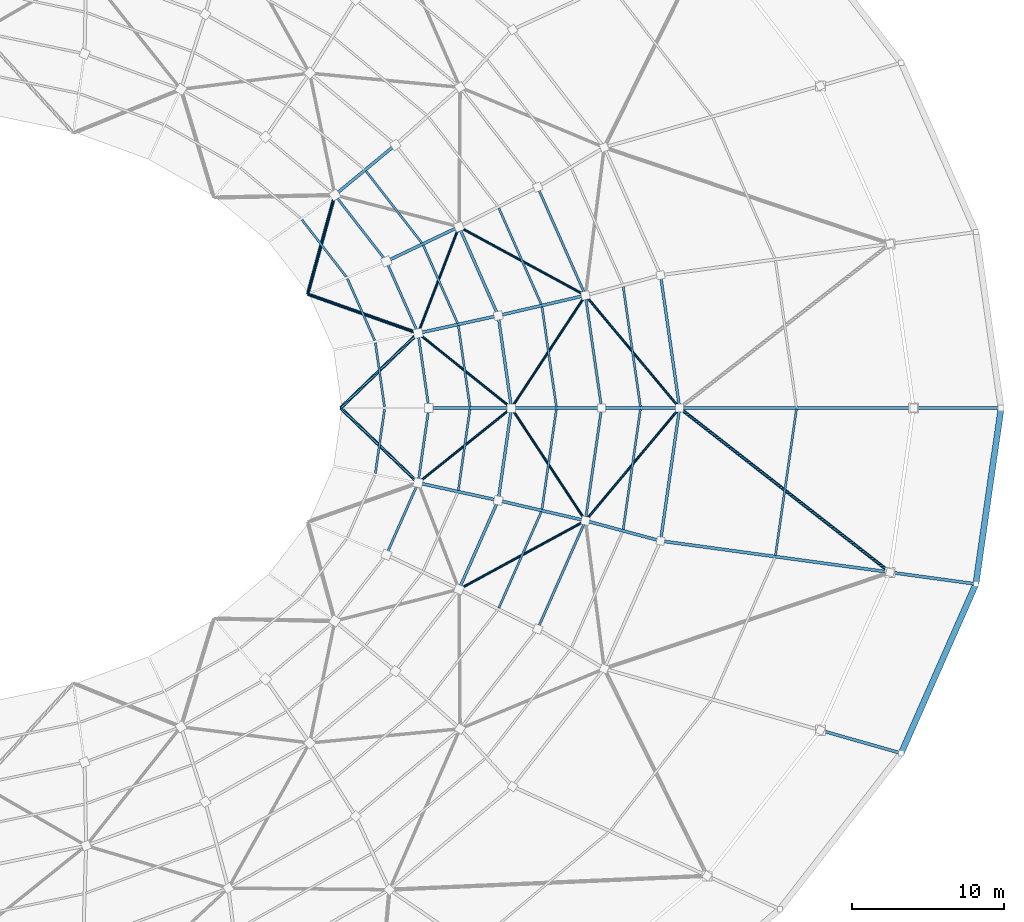
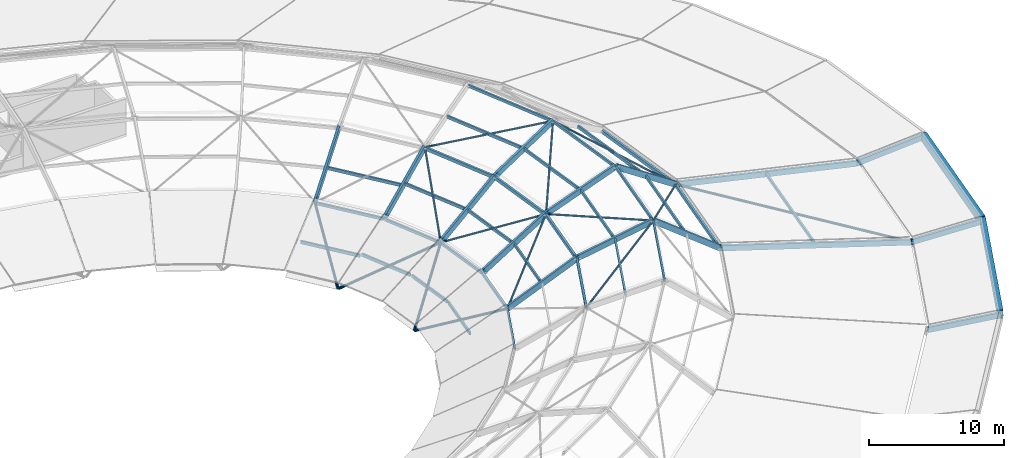
# One storey, part 10 of 30: 59 members, 2 beams.
"""IFC4 building model written with IfcOpenShell, lengths in metres."""

from ifc_helpers import new_model, si_unit, direction, frame, origin, origin_2d, place, context, subcontext, project, spatial, rectangle, hollow_rectangle, hollow_circle, extrude, material, material_profile, profile_set, type_object, element, save


model = new_model("IFC4")

# Units and contexts
model_context = context("Model", 3, precision=1e-05, world=origin(), true_north=direction((0.0, 1.0)))
body_context = subcontext(model_context, "Body", "Model", "MODEL_VIEW")
ifc_project = project(units=[si_unit("LENGTHUNIT", "METRE"), si_unit("AREAUNIT", "SQUARE_METRE"), si_unit("VOLUMEUNIT", "CUBIC_METRE"), si_unit("PLANEANGLEUNIT", "RADIAN"), si_unit("MASSUNIT", "GRAM", prefix="KILO")], contexts=[model_context])

# Site, building, storey
site_placement = place(None, origin())
site = spatial("IfcSite", under=ifc_project, at=site_placement, CompositionType="ELEMENT")
building_placement = place(site_placement, origin())
building = spatial("IfcBuilding", under=site, at=building_placement, Name="Namkhue Oval Health Centre", CompositionType="ELEMENT")
storey_placement = place(building_placement, frame((0.0, 0.0, 26.39990234375)))
storey = spatial("IfcBuildingStorey", under=building, at=storey_placement, Name="RF", CompositionType="ELEMENT", Elevation=26.39990234375)

# Beams
ifc_material_1 = material(Name="Precast architectural concrete C35/45 (TCVN B40)", Category="concrete")
ifc_material_profile_1 = material_profile(ifc_material_1, rectangle(XDim=0.39990234375, YDim=0.75, at=origin_2d()), Name="RC 400x750")
ifc_profile_set_1 = profile_set([ifc_material_profile_1], Name="Precast architectural concrete C35/45 (TCVN B40)")
beam_type = type_object("IfcBeamType", Name="CONCRETE EDGE BAND 400X750", PredefinedType="SPANDREL", material=ifc_profile_set_1)
beam_1_placement = place(storey_placement, frame((166.2392578125, 36.705078125, 0.7001953125), z_axis=(0.403693857048, 0.914894130368, 0.0), x_axis=(-0.914894130368, 0.403693857048, 0.0)))
element("IfcBeam", 1, at=beam_1_placement, inside=storey, type_object=beam_type, Name="Elliptical Roof Concrete Fascia Band 31", PredefinedType="SPANDREL", context=body_context, shape_type="SweptSolid", body=[
    extrude(rectangle(XDim=0.39990234375, YDim=0.75, at=origin_2d()), origin(), (0.0, 0.0, 1.0), 12.099609375),
])
beam_2_placement = place(storey_placement, frame((171.1455078125, 47.851318359375, 0.7001953125), z_axis=(0.14180352015, 0.989894823541, 0.0), x_axis=(-0.989894823541, 0.14180352015, 0.0)))
element("IfcBeam", 2, at=beam_2_placement, inside=storey, type_object=beam_type, Name="Elliptical Roof Concrete Fascia Band 32", PredefinedType="SPANDREL", context=body_context, shape_type="SweptSolid", body=[
    extrude(rectangle(XDim=0.39990234375, YDim=0.75, at=origin_2d()), origin(), (0.0, 0.0, 1.0), 11.62646484375),
])

# Members
ifc_material_2 = material(Name="Structural steel EN 10025-2 S355JR (TCVN 5575:2024)", Category="steel")
ifc_material_profile_2 = material_profile(ifc_material_2, hollow_circle(Radius=0.084228515625, WallThickness=0.008056640625, at=origin_2d()), Name="CHS 168.3x8")
ifc_profile_set_2 = profile_set([ifc_material_profile_2], Name="Structural steel EN 10025-2 S355JR (TCVN 5575:2024)")
member_type_1 = type_object("IfcMemberType", Name="DIAGONAL BRACE CHS 168", PredefinedType="BRACE", material=ifc_profile_set_2)
for number, where, z_axis, x_axis, name in (
    (3, (151.614013671875, 59.421630859375, 3.7900390625), (-0.604951529106, 0.723827943843, 0.331823379441), (-0.767302106133, -0.6412858005, 0.0), "Gridshell Diagonal Brace K2-1"),
    (4, (151.614013671875, 59.37841796875, 3.7900390625), (-0.604951529106, -0.723827943843, 0.331823379441), (0.767302106133, -0.6412858005, 0.0), "Gridshell Diagonal Brace K2-32"),
):
    element("IfcMember", number, at=place(storey_placement, frame(where, z_axis=z_axis, x_axis=x_axis)), inside=storey, type_object=member_type_1, Name=name, PredefinedType="BRACE", context=body_context, shape_type="SweptSolid", body=[
        extrude(hollow_circle(Radius=0.084228515625, WallThickness=0.008056640625, at=origin_2d()), origin(), (0.0, 0.0, 1.0), 10.1865234375),
    ])
member_1_placement = place(storey_placement, frame((145.41748046875, 66.792236328125, 7.1728515625), z_axis=(-0.533026132105, -0.811164118844, -0.24061569939), x_axis=(0.835717099422, -0.54916020407, 0.0)))
element("IfcMember", 5, at=member_1_placement, inside=storey, type_object=member_type_1, Name="Gridshell Diagonal Brace K3-1", PredefinedType="BRACE", context=body_context, shape_type="SweptSolid", body=[
    extrude(hollow_circle(Radius=0.084228515625, WallThickness=0.008056640625, at=origin_2d()), origin(), (0.0, 0.0, 1.0), 9.083251953125),
])
for number, where, z_axis, x_axis, name in (
    (6, (145.40771484375, 66.83056640625, 7.17333984375), (-0.856179803877, 0.464515560675, -0.226233148154), (-0.476879529748, -0.878968665032, 0.0), "Gridshell Diagonal Brace K3-2"),
    (7, (145.40771484375, 51.969482421875, 7.17333984375), (-0.856179803877, -0.464515560675, -0.226233148154), (0.476879529748, -0.878968665032, 0.0), "Gridshell Diagonal Brace K3-31"),
):
    element("IfcMember", number, at=place(storey_placement, frame(where, z_axis=z_axis, x_axis=x_axis)), inside=storey, type_object=member_type_1, Name=name, PredefinedType="BRACE", context=body_context, shape_type="SweptSolid", body=[
        extrude(hollow_circle(Radius=0.084228515625, WallThickness=0.008056640625, at=origin_2d()), origin(), (0.0, 0.0, 1.0), 9.664794921875),
    ])
member_2_placement = place(storey_placement, frame((145.41748046875, 52.0078125, 7.1728515625), z_axis=(-0.533026132105, 0.811164118844, -0.24061569939), x_axis=(-0.835717099422, -0.54916020407, 0.0)))
element("IfcMember", 8, at=member_2_placement, inside=storey, type_object=member_type_1, Name="Gridshell Diagonal Brace K3-32", PredefinedType="BRACE", context=body_context, shape_type="SweptSolid", body=[
    extrude(hollow_circle(Radius=0.084228515625, WallThickness=0.008056640625, at=origin_2d()), origin(), (0.0, 0.0, 1.0), 9.083251953125),
])
member_3_placement = place(storey_placement, frame((140.53857421875, 59.417236328125, 4.96826171875), z_axis=(-0.716433998246, 0.57413313009, -0.396350192493), x_axis=(-0.62534963472, -0.780344689452, 0.0)))
element("IfcMember", 9, at=member_3_placement, inside=storey, type_object=member_type_1, Name="Gridshell Diagonal Brace K4-1", PredefinedType="BRACE", context=body_context, shape_type="SweptSolid", body=[
    extrude(hollow_circle(Radius=0.084228515625, WallThickness=0.008056640625, at=origin_2d()), origin(), (0.0, 0.0, 1.0), 8.518310546875),
])
member_4_placement = place(storey_placement, frame((137.097412109375, 71.30859375, 4.9677734375), z_axis=(-0.326688669329, -0.850363236448, -0.412500762944), x_axis=(0.93348313734, -0.35862129371, 0.0)))
element("IfcMember", 10, at=member_4_placement, inside=storey, type_object=member_type_1, Name="Gridshell Diagonal Brace K4-2", PredefinedType="BRACE", context=body_context, shape_type="SweptSolid", body=[
    extrude(hollow_circle(Radius=0.084228515625, WallThickness=0.008056640625, at=origin_2d()), origin(), (0.0, 0.0, 1.0), 8.182373046875),
])
member_5_placement = place(storey_placement, frame((140.53857421875, 59.3828125, 4.96826171875), z_axis=(-0.716433998246, -0.57413313009, -0.396350192493), x_axis=(0.62534963472, -0.780344689452, 0.0)))
element("IfcMember", 11, at=member_5_placement, inside=storey, type_object=member_type_1, Name="Gridshell Diagonal Brace K4-32", PredefinedType="BRACE", context=body_context, shape_type="SweptSolid", body=[
    extrude(hollow_circle(Radius=0.084228515625, WallThickness=0.008056640625, at=origin_2d()), origin(), (0.0, 0.0, 1.0), 8.518310546875),
])
ifc_material_profile_3 = material_profile(ifc_material_2, hollow_circle(Radius=0.109619140625, WallThickness=0.010009765625, at=origin_2d()), Name="CHS 219.1x10")
ifc_profile_set_3 = profile_set([ifc_material_profile_3], Name="Structural steel EN 10025-2 S355JR (TCVN 5575:2024)")
member_type_2 = type_object("IfcMemberType", Name="DIAGONAL BRACE CHS 219", PredefinedType="BRACE", material=ifc_profile_set_3)
member_6_placement = place(storey_placement, frame((165.46728515625, 48.602294921875, 0.285888671875), z_axis=(-0.773156638641, 0.603407661928, 0.195263938433), x_axis=(-0.615250790527, -0.788331443465, 0.0)))
element("IfcMember", 12, at=member_6_placement, inside=storey, type_object=member_type_2, Name="Gridshell Diagonal Brace K1-32", PredefinedType="BRACE", context=body_context, shape_type="SweptSolid", body=[
    extrude(hollow_circle(Radius=0.109619140625, WallThickness=0.010009765625, at=origin_2d()), origin(), (0.0, 0.0, 1.0), 17.864501953125),
])
member_7_placement = place(storey_placement, frame((134.394775390625, 64.30615234375, 1.56787109375), z_axis=(-0.655803956446, -0.633035181798, -0.411324238668), x_axis=(0.694506588313, -0.719486343713, 0.0)))
element("IfcMember", 13, at=member_7_placement, inside=storey, type_object=member_type_2, Name="Gridshell Diagonal Brace K5-1", PredefinedType="BRACE", context=body_context, shape_type="SweptSolid", body=[
    extrude(hollow_circle(Radius=0.109619140625, WallThickness=0.010009765625, at=origin_2d()), origin(), (0.0, 0.0, 1.0), 7.72021484375),
])
member_8_placement = place(storey_placement, frame((134.38818359375, 64.334228515625, 1.568603515625), z_axis=(-0.870686999739, 0.308442525656, -0.383102279885), x_axis=(-0.33391852969, -0.942601939065, 0.0)))
element("IfcMember", 14, at=member_8_placement, inside=storey, type_object=member_type_2, Name="Gridshell Diagonal Brace K5-2", PredefinedType="BRACE", context=body_context, shape_type="SweptSolid", body=[
    extrude(hollow_circle(Radius=0.109619140625, WallThickness=0.010009765625, at=origin_2d()), origin(), (0.0, 0.0, 1.0), 8.292724609375),
])
member_9_placement = place(storey_placement, frame((128.92431640625, 73.399169921875, 1.5673828125), z_axis=(-0.239180202301, -0.871743269985, -0.4276172378), x_axis=(0.964360555724, -0.264591607129, 0.0)))
element("IfcMember", 15, at=member_9_placement, inside=storey, type_object=member_type_2, Name="Gridshell Diagonal Brace K5-3", PredefinedType="BRACE", context=body_context, shape_type="SweptSolid", body=[
    extrude(hollow_circle(Radius=0.109619140625, WallThickness=0.010009765625, at=origin_2d()), origin(), (0.0, 0.0, 1.0), 7.423828125),
])
member_10_placement = place(storey_placement, frame((134.394775390625, 54.493896484375, 1.56787109375), z_axis=(-0.655803956446, 0.633035181798, -0.411324238668), x_axis=(-0.694506588313, -0.719486343713, 0.0)))
element("IfcMember", 16, at=member_10_placement, inside=storey, type_object=member_type_2, Name="Gridshell Diagonal Brace K5-32", PredefinedType="BRACE", context=body_context, shape_type="SweptSolid", body=[
    extrude(hollow_circle(Radius=0.109619140625, WallThickness=0.010009765625, at=origin_2d()), origin(), (0.0, 0.0, 1.0), 7.72021484375),
])
ifc_material_3 = material(Name="Glulam timber GL28h", Category="wood")
ifc_material_profile_4 = material_profile(ifc_material_3, rectangle(XDim=0.199951171875, YDim=0.47998046875, at=origin_2d()), Name="GL28h 200x480")
ifc_profile_set_4 = profile_set([ifc_material_profile_4], Name="Glulam timber GL28h")
member_type_3 = type_object("IfcMemberType", Name="GRIDSHELL ARCH RIB GL28H 200X480", PredefinedType="USERDEFINED", material=ifc_profile_set_4)
member_11_placement = place(storey_placement, frame((167.0400390625, 59.39990234375, 0.300048828125), z_axis=(-0.975157590278, 0.0, 0.221512243733), x_axis=(0.0, -1.0, 0.0)))
element("IfcMember", 17, at=member_11_placement, inside=storey, type_object=member_type_3, Name="Gridshell Glulam Arch Rib K1-1", ObjectType="ARCH_SEGMENT", PredefinedType="USERDEFINED", context=body_context, shape_type="SweptSolid", body=[
    extrude(rectangle(XDim=0.199951171875, YDim=0.47998046875, at=origin_2d()), origin(), (0.0, 0.0, 1.0), 15.800537109375),
])
member_12_placement = place(storey_placement, frame((151.632080078125, 59.39990234375, 3.800048828125), z_axis=(-0.833832668769, 0.0, 0.552017282785), x_axis=(0.0, -1.0, 0.0)))
element("IfcMember", 18, at=member_12_placement, inside=storey, type_object=member_type_3, Name="Gridshell Glulam Arch Rib K2-1", ObjectType="ARCH_SEGMENT", PredefinedType="USERDEFINED", context=body_context, shape_type="SweptSolid", body=[
    extrude(rectangle(XDim=0.199951171875, YDim=0.47998046875, at=origin_2d()), origin(), (0.0, 0.0, 1.0), 6.159423828125),
])
member_13_placement = place(storey_placement, frame((146.49609375, 59.39990234375, 7.2001953125), z_axis=(-0.937663136195, 0.0, -0.34754545461), x_axis=(0.0, -1.0, 0.0)))
element("IfcMember", 19, at=member_13_placement, inside=storey, type_object=member_type_3, Name="Gridshell Glulam Arch Rib K3-1", ObjectType="ARCH_SEGMENT", PredefinedType="USERDEFINED", context=body_context, shape_type="SweptSolid", body=[
    extrude(rectangle(XDim=0.199951171875, YDim=0.47998046875, at=origin_2d()), origin(), (0.0, 0.0, 1.0), 6.33056640625),
])
member_14_placement = place(storey_placement, frame((140.56005859375, 59.39990234375, 5.0), z_axis=(-0.848002580128, 0.0, -0.529992098145), x_axis=(0.0, -1.0, 0.0)))
element("IfcMember", 20, at=member_14_placement, inside=storey, type_object=member_type_3, Name="Gridshell Glulam Arch Rib K4-1", ObjectType="ARCH_SEGMENT", PredefinedType="USERDEFINED", context=body_context, shape_type="SweptSolid", body=[
    extrude(rectangle(XDim=0.199951171875, YDim=0.47998046875, at=origin_2d()), origin(), (0.0, 0.0, 1.0), 6.4150390625),
])
member_15_placement = place(storey_placement, frame((145.43359375, 66.816650390625, 7.2001953125), z_axis=(-0.912688397532, -0.211727263391, -0.349530334802), x_axis=(0.225981004463, -0.97413170856, 0.0)))
element("IfcMember", 21, at=member_15_placement, inside=storey, type_object=member_type_3, Name="Gridshell Glulam Arch Rib K3-2", ObjectType="ARCH_SEGMENT", PredefinedType="USERDEFINED", context=body_context, shape_type="SweptSolid", body=[
    extrude(rectangle(XDim=0.199951171875, YDim=0.47998046875, at=origin_2d()), origin(), (0.0, 0.0, 1.0), 6.294677734375),
])
member_16_placement = place(storey_placement, frame((139.6884765625, 65.48388671875, 5.0), z_axis=(-0.82650865168, -0.181623764907, -0.53281915949), x_axis=(0.214627171425, -0.976696051638, 0.0)))
element("IfcMember", 22, at=member_16_placement, inside=storey, type_object=member_type_3, Name="Gridshell Glulam Arch Rib K4-2", ObjectType="ARCH_SEGMENT", PredefinedType="USERDEFINED", context=body_context, shape_type="SweptSolid", body=[
    extrude(rectangle(XDim=0.199951171875, YDim=0.47998046875, at=origin_2d()), origin(), (0.0, 0.0, 1.0), 6.380859375),
])
member_17_placement = place(storey_placement, frame((137.107177734375, 71.333984375, 5.0), z_axis=(-0.759979897278, -0.361250399406, -0.540304270446), x_axis=(0.429308850188, -0.903157744334, 0.0)))
element("IfcMember", 23, at=member_17_placement, inside=storey, type_object=member_type_3, Name="Gridshell Glulam Arch Rib K4-3", ObjectType="ARCH_SEGMENT", PredefinedType="USERDEFINED", context=body_context, shape_type="SweptSolid", body=[
    extrude(rectangle(XDim=0.199951171875, YDim=0.47998046875, at=origin_2d()), origin(), (0.0, 0.0, 1.0), 6.29248046875),
])
member_18_placement = place(storey_placement, frame((132.91552734375, 76.725341796875, 5.0), z_axis=(-0.643559192771, -0.533091653921, -0.549222044278), x_axis=(0.637916322082, -0.770105684969, 0.0)))
element("IfcMember", 24, at=member_18_placement, inside=storey, type_object=member_type_3, Name="Gridshell Glulam Arch Rib K4-4", ObjectType="ARCH_SEGMENT", PredefinedType="USERDEFINED", context=body_context, shape_type="SweptSolid", body=[
    extrude(rectangle(XDim=0.199951171875, YDim=0.47998046875, at=origin_2d()), origin(), (0.0, 0.0, 1.0), 6.1904296875),
])
member_19_placement = place(storey_placement, frame((165.490478515625, 48.584228515625, 0.300048828125), z_axis=(-0.965679210816, 0.132063629189, 0.223657907626), x_axis=(-0.135496054862, -0.990777885864, 0.0)))
element("IfcMember", 25, at=member_19_placement, inside=storey, type_object=member_type_3, Name="Gridshell Glulam Arch Rib K1-32", ObjectType="ARCH_SEGMENT", PredefinedType="USERDEFINED", context=body_context, shape_type="SweptSolid", body=[
    extrude(rectangle(XDim=0.199951171875, YDim=0.47998046875, at=origin_2d()), origin(), (0.0, 0.0, 1.0), 15.64892578125),
])
member_20_placement = place(storey_placement, frame((150.378662109375, 50.65087890625, 3.800048828125), z_axis=(-0.804418589356, 0.216762116055, 0.553104798517), x_axis=(-0.26018374201, -0.965559123199, 0.0)))
element("IfcMember", 26, at=member_20_placement, inside=storey, type_object=member_type_3, Name="Gridshell Glulam Arch Rib K2-32", ObjectType="ARCH_SEGMENT", PredefinedType="USERDEFINED", context=body_context, shape_type="SweptSolid", body=[
    extrude(rectangle(XDim=0.199951171875, YDim=0.47998046875, at=origin_2d()), origin(), (0.0, 0.0, 1.0), 6.1474609375),
])
member_21_placement = place(storey_placement, frame((145.43359375, 51.9833984375, 7.2001953125), z_axis=(-0.912688397532, 0.211727263391, -0.349530334802), x_axis=(-0.225981004463, -0.97413170856, 0.0)))
element("IfcMember", 27, at=member_21_placement, inside=storey, type_object=member_type_3, Name="Gridshell Glulam Arch Rib K3-32", ObjectType="ARCH_SEGMENT", PredefinedType="USERDEFINED", context=body_context, shape_type="SweptSolid", body=[
    extrude(rectangle(XDim=0.199951171875, YDim=0.47998046875, at=origin_2d()), origin(), (0.0, 0.0, 1.0), 6.294677734375),
])
member_22_placement = place(storey_placement, frame((139.6884765625, 53.316162109375, 5.0), z_axis=(-0.826514394594, 0.181586765889, -0.532822861731), x_axis=(-0.214584040313, -0.976705528623, 0.0)))
element("IfcMember", 28, at=member_22_placement, inside=storey, type_object=member_type_3, Name="Gridshell Glulam Arch Rib K4-32", ObjectType="ARCH_SEGMENT", PredefinedType="USERDEFINED", context=body_context, shape_type="SweptSolid", body=[
    extrude(rectangle(XDim=0.199951171875, YDim=0.47998046875, at=origin_2d()), origin(), (0.0, 0.0, 1.0), 6.380859375),
])
ifc_material_profile_5 = material_profile(ifc_material_3, rectangle(XDim=0.199951171875, YDim=0.47998046875, at=origin_2d()), Name="GL28h 200x480")
ifc_profile_set_5 = profile_set([ifc_material_profile_5], Name="Glulam timber GL28h")
member_type_4 = type_object("IfcMemberType", Name="GRIDSHELL CANTILEVER RIB GL28H 200X480", PredefinedType="USERDEFINED", material=ifc_profile_set_5)
member_23_placement = place(storey_placement, frame((172.800048828125, 59.39990234375, 0.7001953125), z_axis=(-0.99759567541, 0.0, -0.069302730132), x_axis=(0.0, -1.0, 0.0)))
element("IfcMember", 29, at=member_23_placement, inside=storey, type_object=member_type_4, Name="Gridshell Glulam Arch Rib K0-1", ObjectType="ARCH_SEGMENT", PredefinedType="USERDEFINED", context=body_context, shape_type="SweptSolid", body=[
    extrude(rectangle(XDim=0.199951171875, YDim=0.47998046875, at=origin_2d()), origin(), (0.0, 0.0, 1.0), 5.77392578125),
])
member_24_placement = place(storey_placement, frame((166.22314453125, 36.668701171875, 0.7001953125), z_axis=(-0.959259810829, 0.273162620811, -0.072130422992), x_axis=(-0.273876010696, -0.961765008079, 0.0)))
element("IfcMember", 30, at=member_24_placement, inside=storey, type_object=member_type_4, Name="Gridshell Glulam Arch Rib K0-31", ObjectType="ARCH_SEGMENT", PredefinedType="USERDEFINED", context=body_context, shape_type="SweptSolid", body=[
    extrude(rectangle(XDim=0.199951171875, YDim=0.47998046875, at=origin_2d()), origin(), (0.0, 0.0, 1.0), 5.547607421875),
])
member_25_placement = place(storey_placement, frame((171.139892578125, 47.8115234375, 0.7001953125), z_axis=(-0.988344700047, 0.135181978204, -0.070004190293), x_axis=(-0.135514436133, -0.990775371918, 0.0)))
element("IfcMember", 31, at=member_25_placement, inside=storey, type_object=member_type_4, Name="Gridshell Glulam Arch Rib K0-32", ObjectType="ARCH_SEGMENT", PredefinedType="USERDEFINED", context=body_context, shape_type="SweptSolid", body=[
    extrude(rectangle(XDim=0.199951171875, YDim=0.47998046875, at=origin_2d()), origin(), (0.0, 0.0, 1.0), 5.716064453125),
])
ifc_material_profile_6 = material_profile(ifc_material_2, hollow_rectangle(XDim=0.14990234375, YDim=0.25, WallThickness=0.008056640625, at=origin_2d()), Name="RHS 150x250x8")
ifc_profile_set_6 = profile_set([ifc_material_profile_6], Name="Structural steel EN 10025-2 S355JR (TCVN 5575:2024)")
member_type_5 = type_object("IfcMemberType", Name="GRIDSHELL HOOP PURLIN RHS 150X250", PredefinedType="PURLIN", material=ifc_profile_set_6)
member_26_placement = place(storey_placement, frame((146.487548828125, 59.45947265625, 7.156494140625), z_axis=(-0.141838613469, 0.98988979575, 0.0), x_axis=(-0.98988979575, -0.141838613469, 0.0)))
element("IfcMember", 32, at=member_26_placement, inside=storey, type_object=member_type_5, Name="Gridshell Hoop Purlin K3-1", PredefinedType="PURLIN", context=body_context, shape_type="SweptSolid", body=[
    extrude(hollow_rectangle(XDim=0.14990234375, YDim=0.25, WallThickness=0.008056640625, at=origin_2d()), origin(), (0.0, 0.0, 1.0), 7.3720703125),
])
for number, where, z_axis, x_axis, name in (
    (33, (145.4091796875, 66.871337890625, 7.156005859375), (-0.403663700855, 0.91490743609, 0.0), (-0.91490743609, -0.403663700855, 0.0), "Gridshell Hoop Purlin K3-2"),
    (34, (142.31103515625, 44.90673828125, 7.156005859375), (0.403663700855, 0.91490743609, 0.0), (-0.91490743609, 0.403663700855, 0.0), "Gridshell Hoop Purlin K3-31"),
):
    element("IfcMember", number, at=place(storey_placement, frame(where, z_axis=z_axis, x_axis=x_axis)), inside=storey, type_object=member_type_5, Name=name, PredefinedType="PURLIN", context=body_context, shape_type="SweptSolid", body=[
        extrude(hollow_rectangle(XDim=0.14990234375, YDim=0.25, WallThickness=0.008056640625, at=origin_2d()), origin(), (0.0, 0.0, 1.0), 7.675048828125),
    ])
member_27_placement = place(storey_placement, frame((145.44189453125, 52.042724609375, 7.156494140625), z_axis=(0.14183396389, 0.989890461964, 0.0), x_axis=(-0.989890461964, 0.14183396389, 0.0)))
element("IfcMember", 35, at=member_27_placement, inside=storey, type_object=member_type_5, Name="Gridshell Hoop Purlin K3-32", PredefinedType="PURLIN", context=body_context, shape_type="SweptSolid", body=[
    extrude(hollow_rectangle(XDim=0.14990234375, YDim=0.25, WallThickness=0.008056640625, at=origin_2d()), origin(), (0.0, 0.0, 1.0), 7.372314453125),
])
member_28_placement = place(storey_placement, frame((135.111572265625, 59.45947265625, 1.563232421875), z_axis=(-0.14185076709, 0.989888054214, 0.0), x_axis=(-0.989888054214, -0.14185076709, 0.0)))
element("IfcMember", 36, at=member_28_placement, inside=storey, type_object=member_type_5, Name="Gridshell Hoop Purlin K5-1", PredefinedType="PURLIN", context=body_context, shape_type="SweptSolid", body=[
    extrude(hollow_rectangle(XDim=0.14990234375, YDim=0.25, WallThickness=0.008056640625, at=origin_2d()), origin(), (0.0, 0.0, 1.0), 4.855224609375),
])
member_29_placement = place(storey_placement, frame((134.39013671875, 64.3798828125, 1.56005859375), z_axis=(-0.403663981902, 0.91490731209, 0.0), x_axis=(-0.91490731209, -0.403663981902, 0.0)))
element("IfcMember", 37, at=member_29_placement, inside=storey, type_object=member_type_5, Name="Gridshell Hoop Purlin K5-2", PredefinedType="PURLIN", context=body_context, shape_type="SweptSolid", body=[
    extrude(hollow_rectangle(XDim=0.14990234375, YDim=0.25, WallThickness=0.008056640625, at=origin_2d()), origin(), (0.0, 0.0, 1.0), 5.05615234375),
])
member_30_placement = place(storey_placement, frame((132.2880859375, 69.108154296875, 1.556884765625), z_axis=(-0.613784343626, 0.789473735801, 0.0), x_axis=(-0.789473735801, -0.613784343626, 0.0)))
element("IfcMember", 38, at=member_30_placement, inside=storey, type_object=member_type_5, Name="Gridshell Hoop Purlin K5-3", PredefinedType="PURLIN", context=body_context, shape_type="SweptSolid", body=[
    extrude(hollow_rectangle(XDim=0.14990234375, YDim=0.25, WallThickness=0.008056640625, at=origin_2d()), origin(), (0.0, 0.0, 1.0), 5.408447265625),
])
member_31_placement = place(storey_placement, frame((132.34912109375, 49.794189453125, 1.56005859375), z_axis=(0.403663981902, 0.91490731209, 0.0), x_axis=(-0.91490731209, 0.403663981902, 0.0)))
element("IfcMember", 39, at=member_31_placement, inside=storey, type_object=member_type_5, Name="Gridshell Hoop Purlin K5-31", PredefinedType="PURLIN", context=body_context, shape_type="SweptSolid", body=[
    extrude(hollow_rectangle(XDim=0.14990234375, YDim=0.25, WallThickness=0.008056640625, at=origin_2d()), origin(), (0.0, 0.0, 1.0), 5.05615234375),
])
member_32_placement = place(storey_placement, frame((134.4228515625, 54.5341796875, 1.563232421875), z_axis=(0.141843706761, 0.989889065932, 0.0), x_axis=(-0.989889065932, 0.141843706761, 0.0)))
element("IfcMember", 40, at=member_32_placement, inside=storey, type_object=member_type_5, Name="Gridshell Hoop Purlin K5-32", PredefinedType="PURLIN", context=body_context, shape_type="SweptSolid", body=[
    extrude(hollow_rectangle(XDim=0.14990234375, YDim=0.25, WallThickness=0.008056640625, at=origin_2d()), origin(), (0.0, 0.0, 1.0), 4.85546875),
])
ifc_material_profile_7 = material_profile(ifc_material_2, hollow_rectangle(XDim=0.179931640625, YDim=0.300048828125, WallThickness=0.010009765625, at=origin_2d()), Name="RHS 180x300x10")
ifc_profile_set_7 = profile_set([ifc_material_profile_7], Name="Structural steel EN 10025-2 S355JR (TCVN 5575:2024)")
member_type_6 = type_object("IfcMemberType", Name="GRIDSHELL HOOP PURLIN RHS 180X300", PredefinedType="PURLIN", material=ifc_profile_set_7)
for number, where, z_axis, x_axis, name in (
    (41, (151.62353515625, 59.45947265625, 3.7255859375), (-0.141805542277, 0.989894533867, 0.0), (-0.989894533867, -0.141805542277, 0.0), "Gridshell Hoop Purlin K2-1"),
    (42, (150.38720703125, 50.710205078125, 3.7255859375), (0.141805542277, 0.989894533867, 0.0), (-0.989894533867, 0.141805542277, 0.0), "Gridshell Hoop Purlin K2-32"),
):
    element("IfcMember", number, at=place(storey_placement, frame(where, z_axis=z_axis, x_axis=x_axis)), inside=storey, type_object=member_type_6, Name=name, PredefinedType="PURLIN", context=body_context, shape_type="SweptSolid", body=[
        extrude(hollow_rectangle(XDim=0.179931640625, YDim=0.300048828125, WallThickness=0.010009765625, at=origin_2d()), origin(), (0.0, 0.0, 1.0), 8.718505859375),
    ])
member_33_placement = place(storey_placement, frame((140.551513671875, 59.45947265625, 4.916259765625), z_axis=(-0.141801373498, 0.989895131049, 0.0), x_axis=(-0.989895131049, -0.141801373498, 0.0)))
element("IfcMember", 43, at=member_33_placement, inside=storey, type_object=member_type_6, Name="Gridshell Hoop Purlin K4-1", PredefinedType="PURLIN", context=body_context, shape_type="SweptSolid", body=[
    extrude(hollow_rectangle(XDim=0.179931640625, YDim=0.300048828125, WallThickness=0.010009765625, at=origin_2d()), origin(), (0.0, 0.0, 1.0), 6.02587890625),
])
for number, where, z_axis, x_axis, name in (
    (44, (139.664306640625, 65.538818359375, 4.91357421875), (-0.403707265212, 0.914888213945, 0.0), (-0.914888213945, -0.403707265212, 0.0), "Gridshell Hoop Purlin K4-2"),
    (45, (137.13134765625, 47.52099609375, 4.91357421875), (0.403707265212, 0.914888213945, 0.0), (-0.914888213945, 0.403707265212, 0.0), "Gridshell Hoop Purlin K4-31"),
):
    element("IfcMember", number, at=place(storey_placement, frame(where, z_axis=z_axis, x_axis=x_axis)), inside=storey, type_object=member_type_6, Name=name, PredefinedType="PURLIN", context=body_context, shape_type="SweptSolid", body=[
        extrude(hollow_rectangle(XDim=0.179931640625, YDim=0.300048828125, WallThickness=0.010009765625, at=origin_2d()), origin(), (0.0, 0.0, 1.0), 6.274169921875),
    ])
member_34_placement = place(storey_placement, frame((139.697021484375, 53.37548828125, 4.916259765625), z_axis=(0.141801373498, 0.989895131049, 0.0), x_axis=(-0.989895131049, 0.141801373498, 0.0)))
element("IfcMember", 46, at=member_34_placement, inside=storey, type_object=member_type_6, Name="Gridshell Hoop Purlin K4-32", PredefinedType="PURLIN", context=body_context, shape_type="SweptSolid", body=[
    extrude(hollow_rectangle(XDim=0.179931640625, YDim=0.300048828125, WallThickness=0.010009765625, at=origin_2d()), origin(), (0.0, 0.0, 1.0), 6.02587890625),
])
ifc_material_profile_8 = material_profile(ifc_material_3, rectangle(XDim=0.139892578125, YDim=0.280029296875, at=origin_2d()), Name="GL28h 140x280")
ifc_profile_set_8 = profile_set([ifc_material_profile_8], Name="Glulam timber GL28h")
member_type_7 = type_object("IfcMemberType", Name="GRIDSHELL SUB PURLIN GL28H 140X280", PredefinedType="PURLIN", material=ifc_profile_set_8)
member_35_placement = place(storey_placement, frame((157.94580078125, 49.69677734375, 2.050048828125), z_axis=(0.141829153276, 0.989891151229, 0.0), x_axis=(-0.989891151229, 0.141829153276, 0.0)))
element("IfcMember", 47, at=member_35_placement, inside=storey, type_object=member_type_7, Name="Gridshell Secondary Purlin K1-32", PredefinedType="PURLIN", context=body_context, shape_type="SweptSolid", body=[
    extrude(rectangle(XDim=0.139892578125, YDim=0.280029296875, at=origin_2d()), origin(), (0.0, 0.0, 1.0), 9.722412109375),
])
for number, where, z_axis, x_axis, name in (
    (48, (149.052734375, 59.479248046875, 5.44677734375), (-0.141809873903, 0.989893913338, 0.0), (-0.989893913338, -0.141809873903, 0.0), "Gridshell Secondary Purlin K2-1"),
    (49, (147.91748046875, 51.396240234375, 5.44677734375), (0.141809873903, 0.989893913338, 0.0), (-0.989893913338, 0.141809873903, 0.0), "Gridshell Secondary Purlin K2-32"),
):
    element("IfcMember", number, at=place(storey_placement, frame(where, z_axis=z_axis, x_axis=x_axis)), inside=storey, type_object=member_type_7, Name=name, PredefinedType="PURLIN", context=body_context, shape_type="SweptSolid", body=[
        extrude(rectangle(XDim=0.139892578125, YDim=0.280029296875, at=origin_2d()), origin(), (0.0, 0.0, 1.0), 8.00537109375),
    ])
member_36_placement = place(storey_placement, frame((143.5166015625, 59.479248046875, 6.0830078125), z_axis=(-0.141811436697, 0.989893689455, 0.0), x_axis=(-0.989893689455, -0.141811436697, 0.0)))
element("IfcMember", 50, at=member_36_placement, inside=storey, type_object=member_type_7, Name="Gridshell Secondary Purlin K3-1", PredefinedType="PURLIN", context=body_context, shape_type="SweptSolid", body=[
    extrude(rectangle(XDim=0.139892578125, YDim=0.280029296875, at=origin_2d()), origin(), (0.0, 0.0, 1.0), 6.6591796875),
])
for number, where, z_axis, x_axis, name in (
    (51, (142.52880859375, 66.223388671875, 6.082763671875), (-0.403703478954, 0.914889884675, 0.0), (-0.914889884675, -0.403703478954, 0.0), "Gridshell Secondary Purlin K3-2"),
    (52, (139.729248046875, 46.232177734375, 6.082763671875), (0.403703478954, 0.914889884675, 0.0), (-0.914889884675, 0.403703478954, 0.0), "Gridshell Secondary Purlin K3-31"),
):
    element("IfcMember", number, at=place(storey_placement, frame(where, z_axis=z_axis, x_axis=x_axis)), inside=storey, type_object=member_type_7, Name=name, PredefinedType="PURLIN", context=body_context, shape_type="SweptSolid", body=[
        extrude(rectangle(XDim=0.139892578125, YDim=0.280029296875, at=origin_2d()), origin(), (0.0, 0.0, 1.0), 6.934814453125),
    ])
member_37_placement = place(storey_placement, frame((142.572265625, 52.72900390625, 6.0830078125), z_axis=(0.141811436697, 0.989893689455, 0.0), x_axis=(-0.989893689455, 0.141811436697, 0.0)))
element("IfcMember", 53, at=member_37_placement, inside=storey, type_object=member_type_7, Name="Gridshell Secondary Purlin K3-32", PredefinedType="PURLIN", context=body_context, shape_type="SweptSolid", body=[
    extrude(rectangle(XDim=0.139892578125, YDim=0.280029296875, at=origin_2d()), origin(), (0.0, 0.0, 1.0), 6.6591796875),
])
member_38_placement = place(storey_placement, frame((137.82861328125, 59.479248046875, 3.237060546875), z_axis=(-0.141813740175, 0.989893359457, 0.0), x_axis=(-0.989893359457, -0.141813740175, 0.0)))
element("IfcMember", 54, at=member_38_placement, inside=storey, type_object=member_type_7, Name="Gridshell Secondary Purlin K4-1", PredefinedType="PURLIN", context=body_context, shape_type="SweptSolid", body=[
    extrude(rectangle(XDim=0.139892578125, YDim=0.280029296875, at=origin_2d()), origin(), (0.0, 0.0, 1.0), 5.400634765625),
])
member_39_placement = place(storey_placement, frame((137.01904296875, 64.977783203125, 3.2353515625), z_axis=(-0.403676536477, 0.914901772814, 0.0), x_axis=(-0.914901772814, -0.403676536477, 0.0)))
element("IfcMember", 55, at=member_39_placement, inside=storey, type_object=member_type_7, Name="Gridshell Secondary Purlin K4-2", PredefinedType="PURLIN", context=body_context, shape_type="SweptSolid", body=[
    extrude(rectangle(XDim=0.139892578125, YDim=0.280029296875, at=origin_2d()), origin(), (0.0, 0.0, 1.0), 5.625244140625),
])
member_40_placement = place(storey_placement, frame((134.6669921875, 70.260498046875, 3.022705078125), z_axis=(-0.613791769424, 0.789467962483, 0.0), x_axis=(-0.789467962483, -0.613791769424, 0.0)))
element("IfcMember", 56, at=member_40_placement, inside=storey, type_object=member_type_7, Name="Gridshell Secondary Purlin K4-3", PredefinedType="PURLIN", context=body_context, shape_type="SweptSolid", body=[
    extrude(rectangle(XDim=0.139892578125, YDim=0.280029296875, at=origin_2d()), origin(), (0.0, 0.0, 1.0), 6.018798828125),
])
member_41_placement = place(storey_placement, frame((137.062744140625, 53.974609375, 3.237060546875), z_axis=(0.141807394304, 0.989894268556, 0.0), x_axis=(-0.989894268556, 0.141807394304, 0.0)))
element("IfcMember", 57, at=member_41_placement, inside=storey, type_object=member_type_7, Name="Gridshell Secondary Purlin K4-32", PredefinedType="PURLIN", context=body_context, shape_type="SweptSolid", body=[
    extrude(rectangle(XDim=0.139892578125, YDim=0.280029296875, at=origin_2d()), origin(), (0.0, 0.0, 1.0), 5.40087890625),
])
member_42_placement = place(storey_placement, frame((132.20458984375, 59.479248046875, -0.05029296875), z_axis=(-0.14181457385, 0.989893240023, 0.0), x_axis=(-0.989893240023, -0.14181457385, 0.0)))
element("IfcMember", 58, at=member_42_placement, inside=storey, type_object=member_type_7, Name="Gridshell Secondary Purlin K5-1", PredefinedType="PURLIN", context=body_context, shape_type="SweptSolid", body=[
    extrude(rectangle(XDim=0.139892578125, YDim=0.280029296875, at=origin_2d()), origin(), (0.0, 0.0, 1.0), 4.259033203125),
])
member_43_placement = place(storey_placement, frame((131.556884765625, 63.847900390625, -0.05322265625), z_axis=(-0.403697092719, 0.914892702633, 0.0), x_axis=(-0.914892702633, -0.403697092719, 0.0)))
element("IfcMember", 59, at=member_43_placement, inside=storey, type_object=member_type_7, Name="Gridshell Secondary Purlin K5-2", PredefinedType="PURLIN", context=body_context, shape_type="SweptSolid", body=[
    extrude(rectangle(XDim=0.139892578125, YDim=0.280029296875, at=origin_2d()), origin(), (0.0, 0.0, 1.0), 4.437744140625),
])
member_44_placement = place(storey_placement, frame((129.68408203125, 68.044189453125, -0.214111328125), z_axis=(-0.613773378425, 0.789482260685, 0.0), x_axis=(-0.789482260685, -0.613773378425, 0.0)))
element("IfcMember", 60, at=member_44_placement, inside=storey, type_object=member_type_7, Name="Gridshell Secondary Purlin K5-3", PredefinedType="PURLIN", context=body_context, shape_type="SweptSolid", body=[
    extrude(rectangle(XDim=0.139892578125, YDim=0.280029296875, at=origin_2d()), origin(), (0.0, 0.0, 1.0), 4.75048828125),
])
member_45_placement = place(storey_placement, frame((131.6005859375, 55.1044921875, -0.05029296875), z_axis=(0.141806527369, 0.989894392749, 0.0), x_axis=(-0.989894392749, 0.141806527369, 0.0)))
element("IfcMember", 61, at=member_45_placement, inside=storey, type_object=member_type_7, Name="Gridshell Secondary Purlin K5-32", PredefinedType="PURLIN", context=body_context, shape_type="SweptSolid", body=[
    extrude(rectangle(XDim=0.139892578125, YDim=0.280029296875, at=origin_2d()), origin(), (0.0, 0.0, 1.0), 4.25927734375),
])

save(model, "model.ifc")
